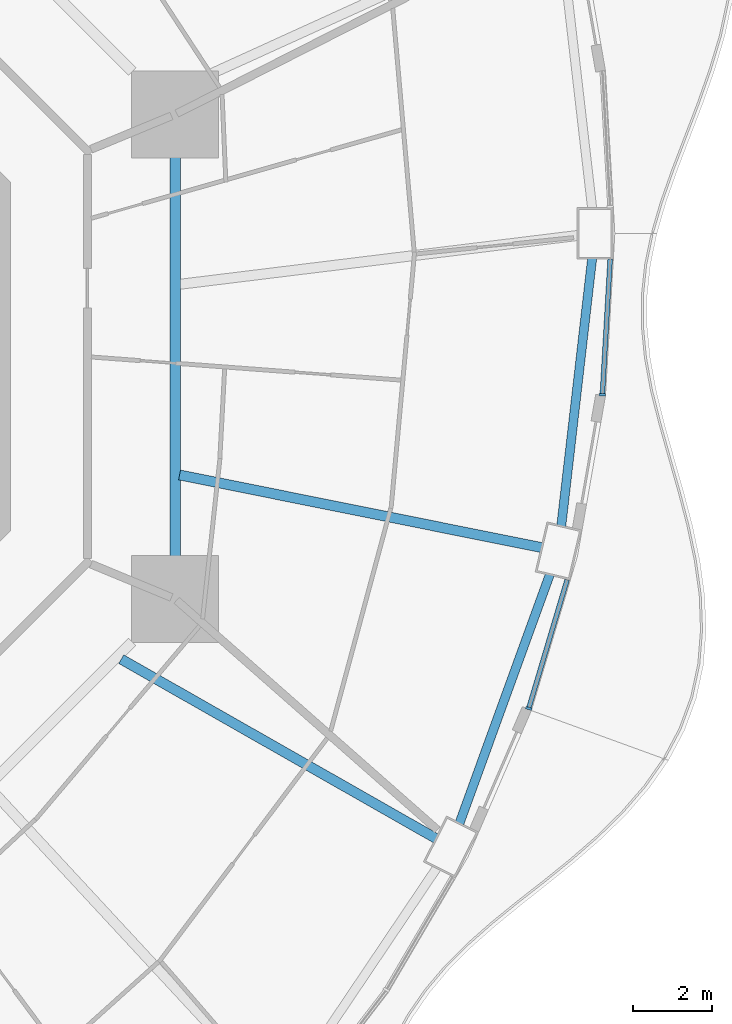
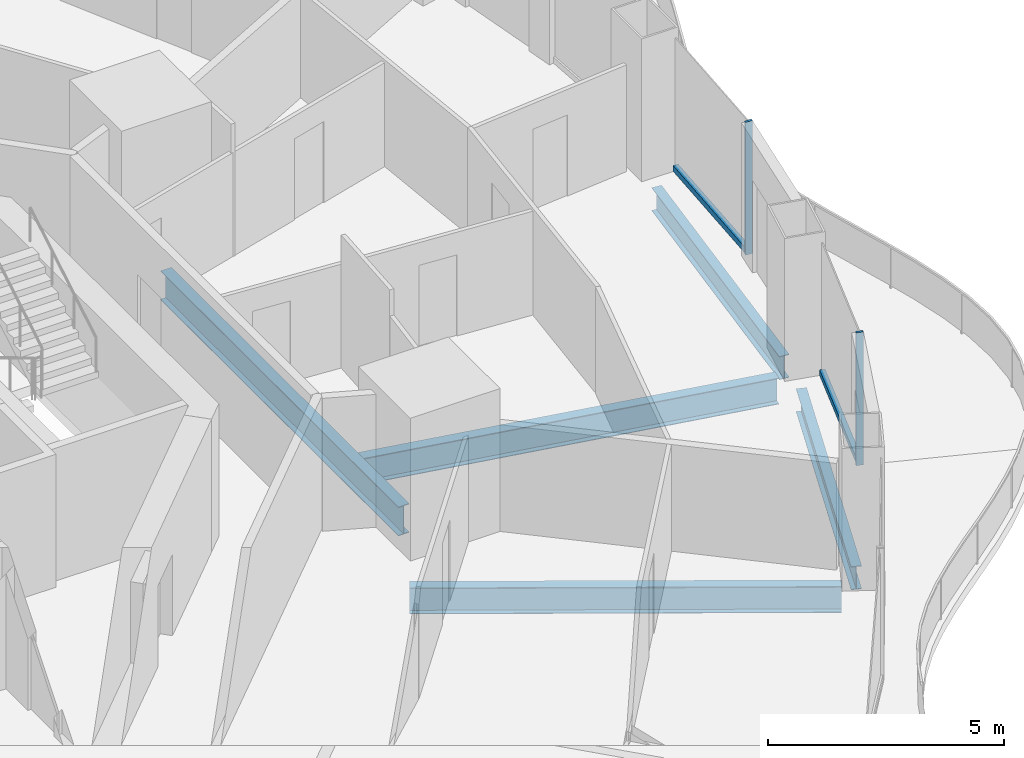
# One storey, part 6 of 22: 5 beams, 4 members, 2 elements without a shape of their own.
"""IFC4 building model written with IfcOpenShell, lengths in metres."""

from ifc_helpers import new_model, si_unit, direction, frame, origin, origin_2d, place, context, subcontext, project, spatial, rectangle, i_section, extrude, material, layer, layer_set, material_profile, profile_set, type_object, element, aggregate, save


model = new_model("IFC4")

# Units and contexts
model_context = context("Model", 3, precision=1e-05, world=origin(), true_north=direction((0.0, 1.0)))
body_context = subcontext(model_context, "Body", "Model", "MODEL_VIEW")
ifc_project = project(units=[si_unit("LENGTHUNIT", "METRE"), si_unit("AREAUNIT", "SQUARE_METRE"), si_unit("VOLUMEUNIT", "CUBIC_METRE"), si_unit("PLANEANGLEUNIT", "RADIAN"), si_unit("MASSUNIT", "GRAM", prefix="KILO")], contexts=[model_context])

# Site, building, storey
site_placement = place(None, origin())
site = spatial("IfcSite", under=ifc_project, at=site_placement, CompositionType="ELEMENT")
building_placement = place(site_placement, origin())
building = spatial("IfcBuilding", under=site, at=building_placement, Name="Nagisa Residences", CompositionType="ELEMENT")
storey_placement = place(building_placement, frame((0.0, 0.0, 77.0)))
storey = spatial("IfcBuildingStorey", under=building, at=storey_placement, Name="L18", CompositionType="ELEMENT", Elevation=77.0)

# Curtain wall, member
ifc_material_1 = material(Name="Concrete-coloured aluminium curtain wall system", Category="concrete")
ifc_layer = layer(ifc_material_1, 0.159912109375)
ifc_layer_set = layer_set([ifc_layer], Name="CW1 CURTAIN WALL")
curtain_wall_type = type_object("IfcCurtainWallType", Name="CW1 CURTAIN WALL", PredefinedType="NOTDEFINED", material=ifc_layer_set)
curtain_wall_1_placement = place(storey_placement, origin())
curtain_wall_1 = element("IfcCurtainWall", 1, at=curtain_wall_1_placement, inside=storey, type_object=curtain_wall_type, Name="cw:CW1:L18:45", PredefinedType="NOTDEFINED")
ifc_material_2 = material(Name="Concrete-coloured aluminium", Category="concrete")
ifc_material_profile_1 = material_profile(ifc_material_2, rectangle(XDim=0.159912109375, YDim=0.06005859375, at=origin_2d()), Name="CW1 MULLION 160x60")
ifc_profile_set_1 = profile_set([ifc_material_profile_1], Name="Concrete-coloured aluminium")
member_type_1 = type_object("IfcMemberType", Name="CW1 MULLION 160x60", PredefinedType="MULLION", material=ifc_profile_set_1)
member_1_placement = place(storey_placement, frame((23.71875, -8.890869140625, 0.0), z_axis=(0.0, 0.0, 1.0), x_axis=(-0.958271310082, 0.285860274038, 0.0)))
member_1 = element("IfcMember", 2, at=member_1_placement, type_object=member_type_1, Name="CW1 mullion", PredefinedType="MULLION", context=body_context, shape_type="SweptSolid", body=[
    extrude(rectangle(XDim=0.159912109375, YDim=0.06005859375, at=origin_2d()), origin(), (0.0, 0.0, 1.0), 3.43994140625),
])

curtain_wall_2_placement = place(storey_placement, origin())
curtain_wall_2 = element("IfcCurtainWall", 3, at=curtain_wall_2_placement, inside=storey, type_object=curtain_wall_type, Name="cw:CW1:L18:47", PredefinedType="NOTDEFINED")
member_2_placement = place(storey_placement, frame((25.579833984375, -0.961181640625, 0.0), z_axis=(0.0, 0.0, 1.0), x_axis=(-0.998345305184, 0.057503492216, 0.0)))
member_2 = element("IfcMember", 4, at=member_2_placement, type_object=member_type_1, Name="CW1 mullion", PredefinedType="MULLION", context=body_context, shape_type="SweptSolid", body=[
    extrude(rectangle(XDim=0.159912109375, YDim=0.06005859375, at=origin_2d()), origin(), (0.0, 0.0, 1.0), 3.43994140625),
])

# Member
ifc_material_3 = material(Name="Concrete-coloured aluminium", Category="concrete")
ifc_material_profile_2 = material_profile(ifc_material_3, rectangle(XDim=0.1201171875, YDim=0.14990234375, at=origin_2d()), Name="CW1 TRANSOM 120x150")
ifc_profile_set_2 = profile_set([ifc_material_profile_2], Name="Concrete-coloured aluminium")
member_type_2 = type_object("IfcMemberType", Name="CW1 TRANSOM 120x150", PredefinedType="USERDEFINED", material=ifc_profile_set_2)
member_3_placement = place(storey_placement, frame((23.710205078125, -8.919677734375, 0.074951171875), z_axis=(0.285882094477, 0.958264800594, 0.0), x_axis=(-0.958264800594, 0.285882094477, 0.0)))
member_3 = element("IfcMember", 5, at=member_3_placement, type_object=member_type_2, Name="CW1 transom", ObjectType="TRANSOM", PredefinedType="USERDEFINED", context=body_context, shape_type="SweptSolid", body=[
    extrude(rectangle(XDim=0.1201171875, YDim=0.14990234375, at=origin_2d()), origin(), (0.0, 0.0, 1.0), 3.423583984375),
])

aggregate(curtain_wall_1, [member_1, member_3])

member_4_placement = place(storey_placement, frame((25.578125, -0.9912109375, 0.074951171875), z_axis=(0.057546644052, 0.998342818754, 0.0), x_axis=(-0.998342818754, 0.057546644052, 0.0)))
member_4 = element("IfcMember", 6, at=member_4_placement, type_object=member_type_2, Name="CW1 transom", ObjectType="TRANSOM", PredefinedType="USERDEFINED", context=body_context, shape_type="SweptSolid", body=[
    extrude(rectangle(XDim=0.1201171875, YDim=0.14990234375, at=origin_2d()), origin(), (0.0, 0.0, 1.0), 3.470458984375),
])

aggregate(curtain_wall_2, [member_2, member_4])

# Beams
ifc_material_4 = material(Name="Steel ASTM A572 Gr 50", Category="steel")
ifc_material_profile_3 = material_profile(ifc_material_4, i_section(OverallWidth=0.264892578125, OverallDepth=0.7529296875, WebThickness=0.01318359375, FlangeThickness=0.01708984375, at=origin_2d()), Name="W760x147")
ifc_profile_set_3 = profile_set([ifc_material_profile_3], Name="Steel ASTM A572 Gr 50")
beam_type_1 = type_object("IfcBeamType", Name="Inner ring beam W760x147", PredefinedType="BEAM", material=ifc_profile_set_3)
beam_1_placement = place(storey_placement, frame((14.781982421875, -5.04296875, -0.636474609375), z_axis=(0.0, 1.0, 0.0), x_axis=(-1.0, 0.0, 0.0)))
element("IfcBeam", 7, at=beam_1_placement, inside=storey, type_object=beam_type_1, Name="beam:L18:ib8", PredefinedType="BEAM", context=body_context, shape_type="SweptSolid", body=[
    extrude(i_section(OverallWidth=0.264892578125, OverallDepth=0.7529296875, WebThickness=0.01318359375, FlangeThickness=0.01708984375, at=origin_2d()), origin(), (0.0, 0.0, 1.0), 10.0859375),
])
ifc_material_5 = material(Name="Steel ASTM A572 Gr 50", Category="steel")
ifc_material_profile_4 = material_profile(ifc_material_5, i_section(OverallWidth=0.22802734375, OverallDepth=0.60302734375, WebThickness=0.010498046875, FlangeThickness=0.014892578125, at=origin_2d()), Name="W610x101")
ifc_profile_set_4 = profile_set([ifc_material_profile_4], Name="Steel ASTM A572 Gr 50")
beam_type_2 = type_object("IfcBeamType", Name="Perimeter ring beam W610x101", PredefinedType="BEAM", material=ifc_profile_set_4)
beam_2_placement = place(storey_placement, frame((21.96826171875, -11.793212890625, -0.5615234375), z_axis=(0.341365002286, 0.939930814057, 0.0), x_axis=(-0.939930814057, 0.341365002286, 0.0)))
element("IfcBeam", 8, at=beam_2_placement, inside=storey, type_object=beam_type_2, Name="beam:L18:pb23", PredefinedType="BEAM", context=body_context, shape_type="SweptSolid", body=[
    extrude(i_section(OverallWidth=0.22802734375, OverallDepth=0.60302734375, WebThickness=0.010498046875, FlangeThickness=0.014892578125, at=origin_2d()), origin(), (0.0, 0.0, 1.0), 6.689208984375),
])
beam_3_placement = place(storey_placement, frame((24.541015625, -4.279296875, -0.5615234375), z_axis=(0.114690766503, 0.993401242237, 0.0), x_axis=(-0.993401242237, 0.114690766503, 0.0)))
element("IfcBeam", 9, at=beam_3_placement, inside=storey, type_object=beam_type_2, Name="beam:L18:pb24", PredefinedType="BEAM", context=body_context, shape_type="SweptSolid", body=[
    extrude(i_section(OverallWidth=0.22802734375, OverallDepth=0.60302734375, WebThickness=0.010498046875, FlangeThickness=0.014892578125, at=origin_2d()), origin(), (0.0, 0.0, 1.0), 6.811767578125),
])
ifc_material_6 = material(Name="Steel ASTM A572 Gr 50", Category="steel")
ifc_material_profile_5 = material_profile(ifc_material_6, i_section(OverallWidth=0.2529296875, OverallDepth=0.677978515625, WebThickness=0.01171875, FlangeThickness=0.016357421875, at=origin_2d()), Name="W690x125")
ifc_profile_set_5 = profile_set([ifc_material_profile_5], Name="Steel ASTM A572 Gr 50")
beam_type_3 = type_object("IfcBeamType", Name="Radial beam W690x125", PredefinedType="BEAM", material=ifc_profile_set_5)
beam_4_placement = place(storey_placement, frame((21.37744140625, -12.1767578125, -0.59912109375), z_axis=(-0.868924854865, 0.494944033804, 0.0), x_axis=(-0.494944033804, -0.868924854865, 0.0)))
element("IfcBeam", 10, at=beam_4_placement, inside=storey, type_object=beam_type_3, Name="beam:L18:rb23", PredefinedType="BEAM", context=body_context, shape_type="SweptSolid", body=[
    extrude(i_section(OverallWidth=0.2529296875, OverallDepth=0.677978515625, WebThickness=0.01171875, FlangeThickness=0.016357421875, at=origin_2d()), origin(), (0.0, 0.0, 1.0), 9.156982421875),
])
beam_5_placement = place(storey_placement, frame((24.046630859375, -4.824951171875, -0.59912109375), z_axis=(-0.980459769656, 0.196719699282, 0.0), x_axis=(-0.196719699282, -0.980459769656, 0.0)))
element("IfcBeam", 11, at=beam_5_placement, inside=storey, type_object=beam_type_3, Name="beam:L18:rb24", PredefinedType="BEAM", context=body_context, shape_type="SweptSolid", body=[
    extrude(i_section(OverallWidth=0.2529296875, OverallDepth=0.677978515625, WebThickness=0.01171875, FlangeThickness=0.016357421875, at=origin_2d()), origin(), (0.0, 0.0, 1.0), 9.333984375),
])

save(model, "model.ifc")
